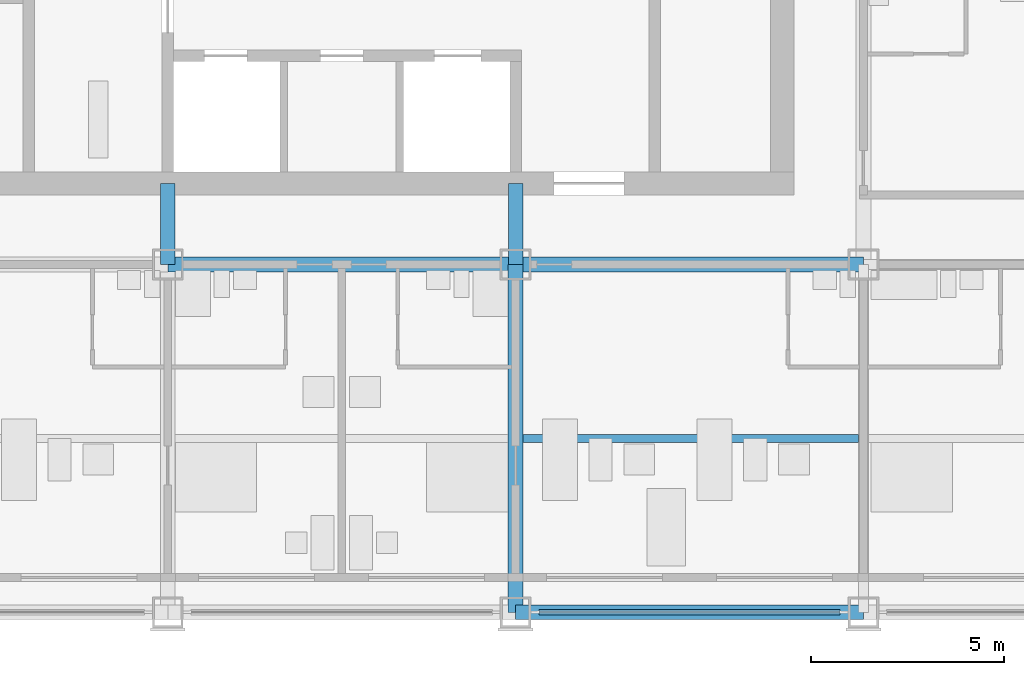
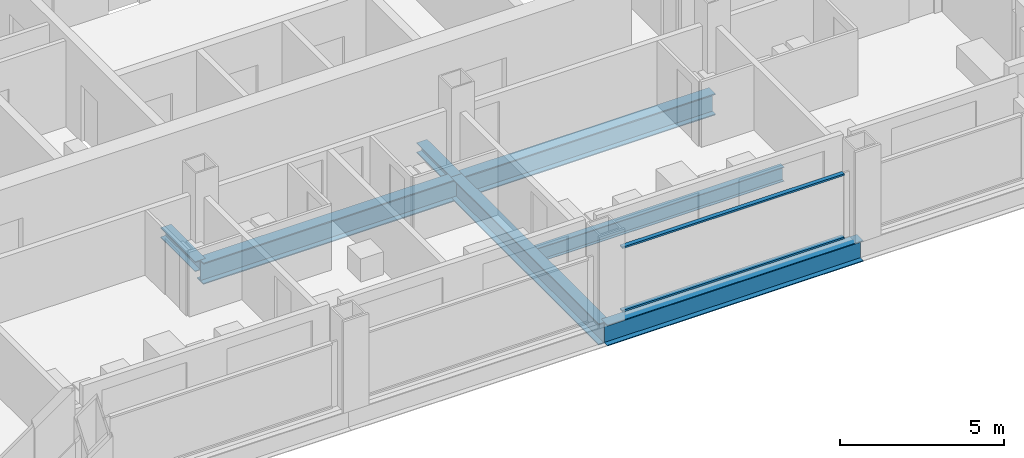
# One storey, part 3 of 13: 5 beams, 4 members, 1 element without a shape of its own.
"""IFC4 building model written with IfcOpenShell, lengths in metres."""

from ifc_helpers import new_model, si_unit, direction, frame, origin, origin_2d, place, context, subcontext, project, spatial, rectangle, i_section, extrude, material, material_profile, profile_set, type_object, element, aggregate, save


model = new_model("IFC4")

# Units and contexts
model_context = context("Model", 3, precision=1e-05, world=origin(), true_north=direction((0.0, 1.0)))
body_context = subcontext(model_context, "Body", "Model", "MODEL_VIEW")
ifc_project = project(units=[si_unit("LENGTHUNIT", "METRE"), si_unit("AREAUNIT", "SQUARE_METRE"), si_unit("VOLUMEUNIT", "CUBIC_METRE"), si_unit("PLANEANGLEUNIT", "RADIAN"), si_unit("MASSUNIT", "GRAM", prefix="KILO")], contexts=[model_context])

# Site, building, storey
site_placement = place(None, origin())
site = spatial("IfcSite", under=ifc_project, at=site_placement, CompositionType="ELEMENT")
building_placement = place(site_placement, origin())
building = spatial("IfcBuilding", under=site, at=building_placement, Name="Loomwork Tower", CompositionType="ELEMENT")
storey_placement = place(building_placement, frame((0.0, 0.0, 214.800048828125)))
storey = spatial("IfcBuildingStorey", under=building, at=storey_placement, Name="L59", CompositionType="ELEMENT", Elevation=214.800048828125)

# Beams
ifc_material_1 = material(Name="Steel ASTM A992", Category="steel")
ifc_material_profile_1 = material_profile(ifc_material_1, i_section(OverallWidth=0.383544921875, OverallDepth=0.794921875, WebThickness=0.02099609375, FlangeThickness=0.0380859375, at=origin_2d()), Name="W30x235")
ifc_profile_set_1 = profile_set([ifc_material_profile_1], Name="Steel ASTM A992")
beam_type_1 = type_object("IfcBeamType", Name="CORE FLANK GIRDER W30x235", PredefinedType="BEAM", material=ifc_profile_set_1)
for number, where, z_axis, x_axis, name in (
    (1, (18.0, 9.0, -0.59765625), (1.0, 0.0, 0.0), (0.0, 1.0, 0.0), "Core Flank Girder E/4-E/5 L59"),
    (2, (27.0, 9.0, -0.59765625), (1.0, 0.0, 0.0), (0.0, 1.0, 0.0), "Core Flank Girder E/5-E/6 L59"),
    (3, (27.0, 0.0, -0.59765625), (0.0, 1.0, 0.0), (-1.0, 0.0, 0.0), "Core Flank Girder D/5-E/5 L59"),
):
    element("IfcBeam", number, at=place(storey_placement, frame(where, z_axis=z_axis, x_axis=x_axis)), inside=storey, type_object=beam_type_1, Name=name, PredefinedType="BEAM", context=body_context, shape_type="SweptSolid", body=[
        extrude(i_section(OverallWidth=0.383544921875, OverallDepth=0.794921875, WebThickness=0.02099609375, FlangeThickness=0.0380859375, at=origin_2d()), origin(), (0.0, 0.0, 1.0), 9.0),
    ])

# Members
ifc_material_2 = material(Name="Steel ASTM A992", Category="steel")
ifc_material_profile_2 = material_profile(ifc_material_2, i_section(OverallWidth=0.373291015625, OverallDepth=0.373291015625, WebThickness=0.016357421875, FlangeThickness=0.026123046875, at=origin_2d()), Name="W14x132")
ifc_profile_set_2 = profile_set([ifc_material_profile_2], Name="Steel ASTM A992")
member_type_1 = type_object("IfcMemberType", Name="CORE LINK STRUT W14x132", PredefinedType="STRUT", material=ifc_profile_set_2)
for number, where, z_axis, x_axis, name in (
    (4, (27.0, 9.0, -0.38671875), (0.0, 1.0, 0.0), (-1.0, 0.0, 0.0), "Core link strut E/5-27.000,11.100 L59"),
    (5, (18.0, 9.0, -0.38671875), (0.0, 1.0, 0.0), (-1.0, 0.0, 0.0), "Core link strut E/4-18.000,11.100 L59"),
):
    element("IfcMember", number, at=place(storey_placement, frame(where, z_axis=z_axis, x_axis=x_axis)), inside=storey, type_object=member_type_1, Name=name, PredefinedType="STRUT", context=body_context, shape_type="SweptSolid", body=[
        extrude(i_section(OverallWidth=0.373291015625, OverallDepth=0.373291015625, WebThickness=0.016357421875, FlangeThickness=0.026123046875, at=origin_2d()), origin(), (0.0, 0.0, 1.0), 2.10009765625),
    ])

# Beam
ifc_material_3 = material(Name="Steel ASTM A992", Category="steel")
ifc_material_profile_3 = material_profile(ifc_material_3, i_section(OverallWidth=0.2109375, OverallDepth=0.53857421875, WebThickness=0.011474609375, FlangeThickness=0.018798828125, at=origin_2d()), Name="W21x73")
ifc_profile_set_3 = profile_set([ifc_material_profile_3], Name="Steel ASTM A992")
beam_type_2 = type_object("IfcBeamType", Name="FLOOR JOIST W21x73", PredefinedType="JOIST", material=ifc_profile_set_3)
beam_1_placement = place(storey_placement, frame((27.19091796875, 4.5, -0.46923828125), z_axis=(1.0, 0.0, 0.0), x_axis=(0.0, 1.0, 0.0)))
element("IfcBeam", 6, at=beam_1_placement, inside=storey, type_object=beam_type_2, Name="Floor Joist 27.000,4.500-36.000,4.500 L59", PredefinedType="JOIST", context=body_context, shape_type="SweptSolid", body=[
    extrude(i_section(OverallWidth=0.2109375, OverallDepth=0.53857421875, WebThickness=0.011474609375, FlangeThickness=0.018798828125, at=origin_2d()), origin(), (0.0, 0.0, 1.0), 8.676025390625),
])

# Curtain wall, members
ifc_material_4 = material(Name="Aluminium curtain wall frame", Category="aluminium")
curtain_wall_type = type_object("IfcCurtainWallType", Name="Outer skin glazing hotel", PredefinedType="NOTDEFINED", material=ifc_material_4)
curtain_wall_placement = place(storey_placement, origin())
curtain_wall = element("IfcCurtainWall", 7, at=curtain_wall_placement, inside=storey, type_object=curtain_wall_type, Name="Outer skin glazing hotel cw/S-27", PredefinedType="NOTDEFINED")
ifc_material_5 = material(Name="Aluminium curtain wall frame", Category="aluminium")
ifc_material_profile_4 = material_profile(ifc_material_5, rectangle(XDim=0.14990234375, YDim=0.06494140625, at=origin_2d()), Name="AL 65x150")
ifc_profile_set_4 = profile_set([ifc_material_profile_4], Name="Aluminium curtain wall frame")
member_type_2 = type_object("IfcMemberType", Name="Outer skin glazing hotel transom", PredefinedType="USERDEFINED", material=ifc_profile_set_4)
member_1_placement = place(storey_placement, frame((27.60009765625, 0.0, 0.032470703125), z_axis=(1.0, 0.0, 0.0), x_axis=(0.0, 1.0, 0.0)))
member_1 = element("IfcMember", 8, at=member_1_placement, type_object=member_type_2, Name="CW1 transom 1.1", ObjectType="TRANSOM", PredefinedType="USERDEFINED", context=body_context, shape_type="SweptSolid", body=[
    extrude(rectangle(XDim=0.14990234375, YDim=0.06494140625, at=origin_2d()), origin(), (0.0, 0.0, 1.0), 7.7998046875),
])
member_2_placement = place(storey_placement, frame((27.60009765625, 0.0, 2.3876953125), z_axis=(1.0, 0.0, 0.0), x_axis=(0.0, 1.0, 0.0)))
member_2 = element("IfcMember", 9, at=member_2_placement, type_object=member_type_2, Name="CW1 transom 1.2", ObjectType="TRANSOM", PredefinedType="USERDEFINED", context=body_context, shape_type="SweptSolid", body=[
    extrude(rectangle(XDim=0.14990234375, YDim=0.06494140625, at=origin_2d()), origin(), (0.0, 0.0, 1.0), 7.7998046875),
])
aggregate(curtain_wall, [member_1, member_2])

# Beam
ifc_material_6 = material(Name="Steel ASTM A992", Category="steel")
ifc_material_profile_5 = material_profile(ifc_material_6, i_section(OverallWidth=0.381103515625, OverallDepth=0.77978515625, WebThickness=0.01806640625, FlangeThickness=0.0302734375, at=origin_2d()), Name="W30x191")
ifc_profile_set_5 = profile_set([ifc_material_profile_5], Name="Steel ASTM A992")
beam_type_3 = type_object("IfcBeamType", Name="SPANDREL GIRDER W30x191", PredefinedType="SPANDREL", material=ifc_profile_set_5)
beam_2_placement = place(storey_placement, frame((27.0, 0.0, -0.58984375), z_axis=(1.0, 0.0, 0.0), x_axis=(0.0, 1.0, 0.0)))
element("IfcBeam", 10, at=beam_2_placement, inside=storey, type_object=beam_type_3, Name="Spandrel Girder D/5-D/6 L59", PredefinedType="SPANDREL", context=body_context, shape_type="SweptSolid", body=[
    extrude(i_section(OverallWidth=0.381103515625, OverallDepth=0.77978515625, WebThickness=0.01806640625, FlangeThickness=0.0302734375, at=origin_2d()), origin(), (0.0, 0.0, 1.0), 9.0),
])

save(model, "model.ifc")
